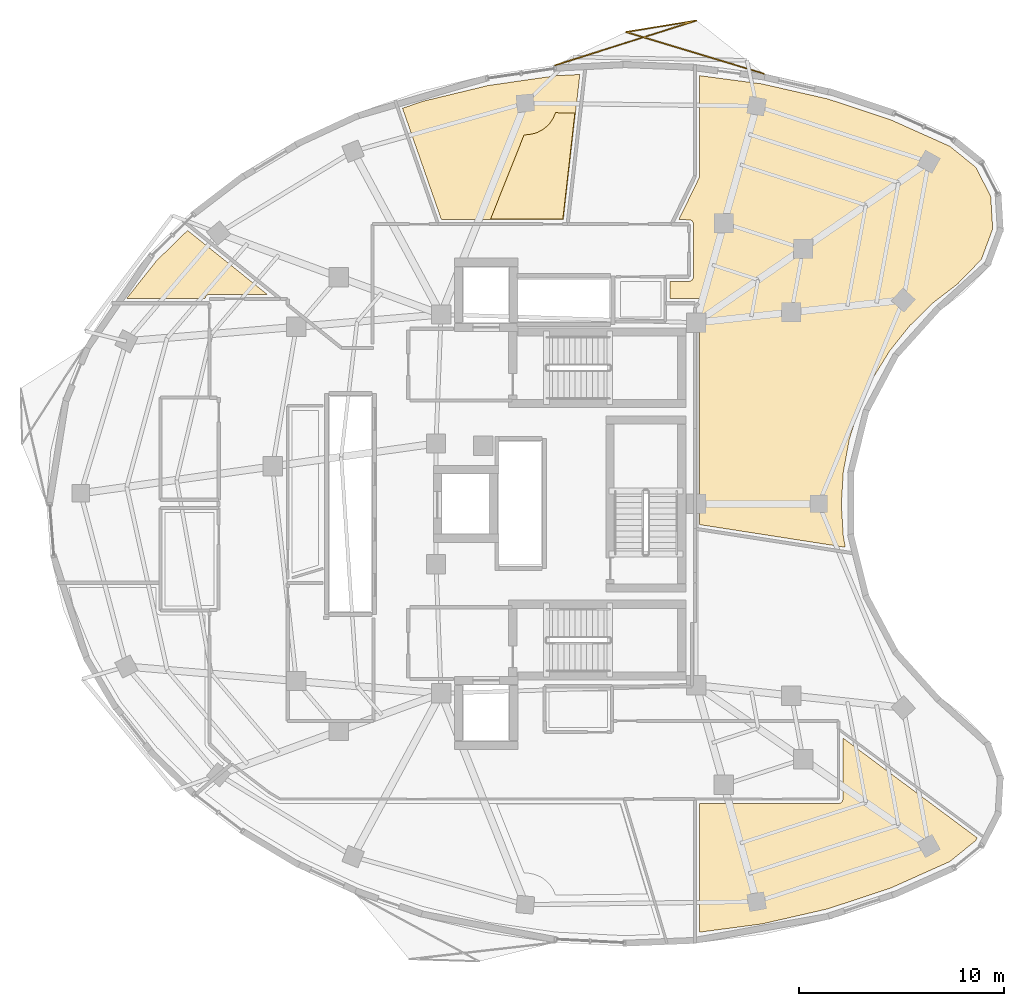
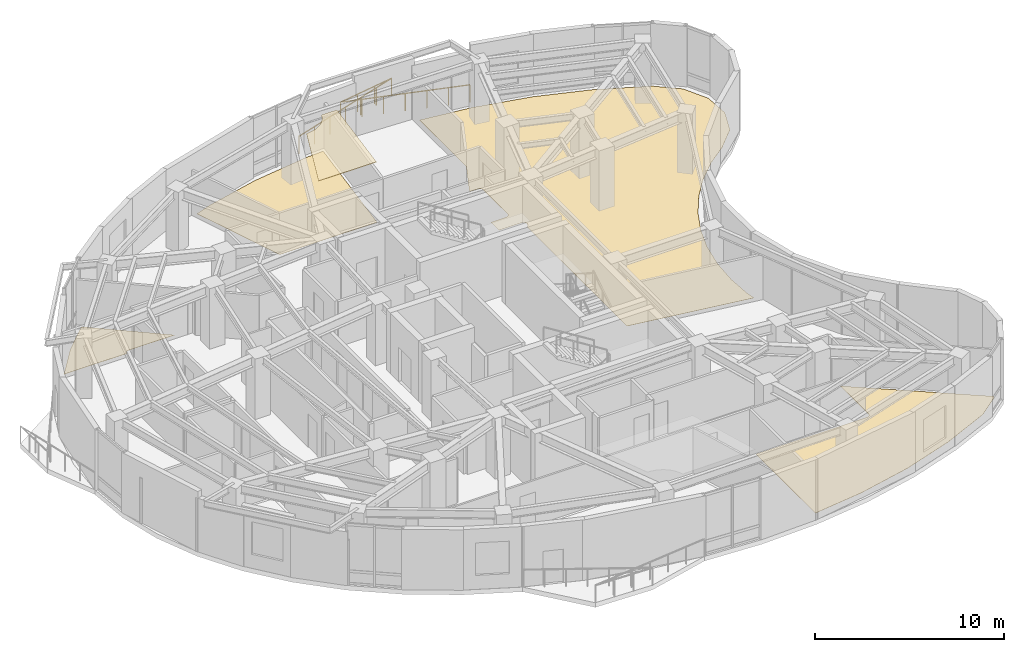
# One storey, part 14 of 14: 5 coverings, 1 railing.
"""IFC4 building model written with IfcOpenShell, lengths in metres."""

from ifc_helpers import new_model, si_unit, direction, frame, origin, origin_2d, place, context, subcontext, project, spatial, polyline, rectangle, outline, extrude, material, layer, layer_set, type_object, element, save


model = new_model("IFC4")

# Units and contexts
model_context = context("Model", 3, precision=1e-05, world=origin(), true_north=direction((0.0, 1.0)))
body_context = subcontext(model_context, "Body", "Model", "MODEL_VIEW")
ifc_project = project(units=[si_unit("LENGTHUNIT", "METRE"), si_unit("AREAUNIT", "SQUARE_METRE"), si_unit("VOLUMEUNIT", "CUBIC_METRE"), si_unit("PLANEANGLEUNIT", "RADIAN"), si_unit("MASSUNIT", "GRAM", prefix="KILO")], contexts=[model_context])

# Site, building, storey
site_placement = place(None, origin())
site = spatial("IfcSite", under=ifc_project, at=site_placement, CompositionType="ELEMENT")
building_placement = place(site_placement, origin())
building = spatial("IfcBuilding", under=site, at=building_placement, Name="Korentha Bioscience Tower", CompositionType="ELEMENT")
storey_placement = place(building_placement, frame((0.0, 0.0, 247.800048828125)))
storey = spatial("IfcBuildingStorey", under=building, at=storey_placement, Name="L57", CompositionType="ELEMENT", Elevation=247.800048828125)

# Railing
ifc_material_1 = material(Name="Laminated Tempered Safety Glass", Category="glass")
railing_type = type_object("IfcRailingType", Name="Laminated Glass Balcony Guardrail 1150", PredefinedType="BALUSTRADE", material=ifc_material_1)
railing_placement = place(storey_placement, frame((40.857666015625, 48.011962890625, 0.0)))
element("IfcRailing", 1, at=railing_placement, inside=storey, type_object=railing_type, Name="L57 Balcony Guardrail 01", PredefinedType="BALUSTRADE", context=body_context, shape_type="SweptSolid", body=[
    extrude(rectangle(XDim=0.048095703125, YDim=0.048095703125, at=origin_2d()), frame((0.0, 0.0, 1.1259765625), z_axis=(-0.957345846904, 0.288944509232, 0.0), x_axis=(-0.288944509232, -0.957345846904, 0.0)), (0.0, 0.0, 1.0), 7.026611328125),
    extrude(rectangle(XDim=0.048095703125, YDim=0.048095703125, at=origin_2d()), frame((-6.726806640625, 2.0302734375, 1.1259765625), z_axis=(0.98686079152, 0.16157282618, 0.0), x_axis=(-0.16157282618, 0.98686079152, 0.0)), (0.0, 0.0, 1.0), 3.489013671875),
    extrude(rectangle(XDim=0.048095703125, YDim=0.048095703125, at=origin_2d()), frame((-3.28369140625, 2.593994140625, 1.1259765625), z_axis=(-0.953365641016, -0.301817750523, 0.0), x_axis=(0.301817750523, -0.953365641016, 0.0)), (0.0, 0.0, 1.0), 7.2509765625),
    extrude(rectangle(XDim=0.0419921875, YDim=0.0419921875, at=origin_2d()), origin(), (0.0, 0.0, 1.0), 1.101806640625),
    extrude(rectangle(XDim=0.0419921875, YDim=0.0419921875, at=origin_2d()), frame((-1.12109375, 0.33837890625, 0.0)), (0.0, 0.0, 1.0), 1.101806640625),
    extrude(rectangle(XDim=0.0419921875, YDim=0.0419921875, at=origin_2d()), frame((-2.2421875, 0.6767578125, 0.0)), (0.0, 0.0, 1.0), 1.101806640625),
    extrude(rectangle(XDim=0.0419921875, YDim=0.0419921875, at=origin_2d()), frame((-3.36328125, 1.01513671875, 0.0)), (0.0, 0.0, 1.0), 1.101806640625),
    extrude(rectangle(XDim=0.0419921875, YDim=0.0419921875, at=origin_2d()), frame((-4.484619140625, 1.353515625, 0.0)), (0.0, 0.0, 1.0), 1.101806640625),
    extrude(rectangle(XDim=0.0419921875, YDim=0.0419921875, at=origin_2d()), frame((-5.605712890625, 1.69189453125, 0.0)), (0.0, 0.0, 1.0), 1.101806640625),
    extrude(rectangle(XDim=0.0419921875, YDim=0.0419921875, at=origin_2d()), frame((-6.726806640625, 2.0302734375, 0.0)), (0.0, 0.0, 1.0), 1.101806640625),
    extrude(rectangle(XDim=0.0419921875, YDim=0.0419921875, at=origin_2d()), frame((-5.5791015625, 2.21826171875, 0.0)), (0.0, 0.0, 1.0), 1.101806640625),
    extrude(rectangle(XDim=0.0419921875, YDim=0.0419921875, at=origin_2d()), frame((-4.431396484375, 2.406005859375, 0.0)), (0.0, 0.0, 1.0), 1.101806640625),
    extrude(rectangle(XDim=0.0419921875, YDim=0.0419921875, at=origin_2d()), frame((-3.28369140625, 2.593994140625, 0.0)), (0.0, 0.0, 1.0), 1.101806640625),
    extrude(rectangle(XDim=0.0419921875, YDim=0.0419921875, at=origin_2d()), frame((-4.435791015625, 2.229248046875, 0.0)), (0.0, 0.0, 1.0), 1.101806640625),
    extrude(rectangle(XDim=0.0419921875, YDim=0.0419921875, at=origin_2d()), frame((-5.587890625, 1.864501953125, 0.0)), (0.0, 0.0, 1.0), 1.101806640625),
    extrude(rectangle(XDim=0.0419921875, YDim=0.0419921875, at=origin_2d()), frame((-6.740234375, 1.499755859375, 0.0)), (0.0, 0.0, 1.0), 1.101806640625),
    extrude(rectangle(XDim=0.0419921875, YDim=0.0419921875, at=origin_2d()), frame((-7.892333984375, 1.135009765625, 0.0)), (0.0, 0.0, 1.0), 1.101806640625),
    extrude(rectangle(XDim=0.0419921875, YDim=0.0419921875, at=origin_2d()), frame((-9.04443359375, 0.770263671875, 0.0)), (0.0, 0.0, 1.0), 1.101806640625),
    extrude(rectangle(XDim=0.0419921875, YDim=0.0419921875, at=origin_2d()), frame((-10.196533203125, 0.405517578125, 0.0)), (0.0, 0.0, 1.0), 1.101806640625),
])

# Coverings
ifc_material_2 = material(Name="Antimicrobial Mineral Fibre Board", Category="gypsum")
ifc_layer_1 = layer(ifc_material_2, 0.034912109375, Name="Antimicrobial Mineral Fibre Board")
ifc_layer_set_1 = layer_set([ifc_layer_1], Name="Antimicrobial Mineral Fibre Board (CL-MF35)")
covering_type_1 = type_object("IfcCoveringType", Name="Mineral-Fibre Cleanroom Suspended Ceiling 35", PredefinedType="CEILING", material=ifc_layer_set_1)
covering_1_placement = place(storey_placement, frame((0.0, 0.0, 3.864990234375)))
element("IfcCovering", 2, at=covering_1_placement, inside=storey, type_object=covering_type_1, Name="L57 Vaccine Formulation Cleanroom 09 Acoustic Ceiling", PredefinedType="CEILING", context=body_context, shape_type="SweptSolid", body=[
    extrude(outline(polyline([(27.515380859375, 40.910400390625), (29.1533203125, 45.023681640625), (29.361572265625, 45.0283203125), (29.65966796875, 45.087646484375), (29.802978515625, 45.138916015625), (30.07080078125, 45.281982421875), (30.3056640625, 45.474853515625), (30.407958984375, 45.587646484375), (30.57666015625, 45.840087890625), (30.686279296875, 46.102294921875), (31.630859375, 46.08984375), (31.04345703125, 40.9111328125), (27.515380859375, 40.910400390625)])), origin(), (0.0, 0.0, 1.0), 0.034912109375),
])
ifc_material_3 = material(Name="Chemical-Resistant Epoxy Resin", Category="polymer")
ifc_layer_2 = layer(ifc_material_3, 0.011962890625, Name="Chemical-Resistant Epoxy Resin")
ifc_layer_set_2 = layer_set([ifc_layer_2], Name="Chemical-Resistant Epoxy Resin (FL-EPX)")
covering_type_2 = type_object("IfcCoveringType", Name="Seamless Epoxy Laboratory Flooring 12", PredefinedType="FLOORING", material=ifc_layer_set_2)
covering_2_placement = place(storey_placement, origin())
element("IfcCovering", 3, at=covering_2_placement, inside=storey, type_object=covering_type_2, Name="L57 Grant Review Seminar Room 05 Floor Finish", PredefinedType="FLOORING", context=body_context, shape_type="SweptSolid", body=[
    extrude(outline(polyline([(43.994384765625, 7.228759765625), (40.76708984375, 6.490478515625), (37.72802734375, 6.08837890625), (37.72802734375, 12.3701171875), (44.5, 12.3701171875), (44.597900390625, 12.391845703125), (44.68505859375, 12.46337890625), (44.729736328125, 12.589111328125), (44.72998046875, 15.562255859375), (51.27587890625, 10.693115234375), (51.20947265625, 10.563720703125), (49.940185546875, 9.5361328125), (47.0791015625, 8.254638671875), (43.994384765625, 7.228759765625)])), origin(), (0.0, 0.0, 1.0), 0.011962890625),
])
covering_3_placement = place(storey_placement, origin())
element("IfcCovering", 4, at=covering_3_placement, inside=storey, type_object=covering_type_2, Name="L57 Reference Archive Vault 07 Floor Finish", PredefinedType="FLOORING", context=body_context, shape_type="SweptSolid", body=[
    extrude(outline(polyline([(37.689453125, 37.01953125), (36.280029296875, 37.022216796875), (36.280029296875, 37.8701171875), (37.234130859375, 37.87255859375), (37.298828125, 37.892333984375), (37.3701171875, 37.9453125), (37.427490234375, 38.066650390625), (37.423095703125, 40.706298828125), (37.354736328125, 40.820068359375), (37.25537109375, 40.873291015625), (36.707275390625, 40.8798828125), (37.7041015625, 42.929931640625), (37.722900390625, 43.00390625), (37.72216796875, 47.912109375), (40.76708984375, 47.509521484375), (43.994140625, 46.771240234375), (47.078857421875, 45.745361328125), (49.93994140625, 44.464111328125), (51.209228515625, 43.4365234375), (51.93798828125, 42.020751953125), (52.03369140625, 40.43115234375), (51.48046875, 38.93798828125), (50.323486328125, 37.744384765625), (49.105224609375, 36.806396484375), (47.96728515625, 35.683837890625), (47.007080078125, 34.47607421875), (46.18212890625, 33.134765625), (45.51708984375, 31.684814453125), (45.034912109375, 30.164306640625), (44.73876953125, 28.564453125), (44.644287109375, 26.9755859375), (44.73828125, 25.438720703125), (44.838134765625, 24.88330078125), (37.7236328125, 25.98828125), (37.721923828125, 36.5224609375), (37.849609375, 36.68408203125), (37.880615234375, 36.809814453125), (37.848388671875, 36.913818359375), (37.771484375, 36.990478515625), (37.689453125, 37.01953125)])), origin(), (0.0, 0.0, 1.0), 0.011962890625),
])
covering_4_placement = place(storey_placement, origin())
element("IfcCovering", 5, at=covering_4_placement, inside=storey, type_object=covering_type_2, Name="L57 Vaccine Formulation Cleanroom 09 Floor Finish", PredefinedType="FLOORING", context=body_context, shape_type="SweptSolid", body=[
    extrude(outline(polyline([(30.7109375, 47.9091796875), (31.874267578125, 47.96923828125), (31.0703125, 40.881103515625), (25.114990234375, 40.8798828125), (23.216552734375, 46.318603515625), (24.186767578125, 46.65478515625), (27.398193359375, 47.430908203125), (30.7109375, 47.9091796875)])), origin(), (0.0, 0.0, 1.0), 0.011962890625),
])
covering_5_placement = place(storey_placement, origin())
element("IfcCovering", 6, at=covering_5_placement, inside=storey, type_object=covering_type_2, Name="L57 Cold-Chain Stability Chamber 11 Floor Finish", PredefinedType="FLOORING", context=body_context, shape_type="SweptSolid", body=[
    extrude(outline(polyline([(11.202392578125, 38.871337890625), (12.720703125, 40.351806640625), (16.611083984375, 37.22998046875), (13.7880859375, 37.229736328125), (13.7021484375, 37.2080078125), (13.645263671875, 37.170166015625), (13.59228515625, 37.098876953125), (13.5712890625, 37.02197265625), (9.73779296875, 37.02197265625), (11.202392578125, 38.871337890625)])), origin(), (0.0, 0.0, 1.0), 0.011962890625),
])

save(model, "model.ifc")
